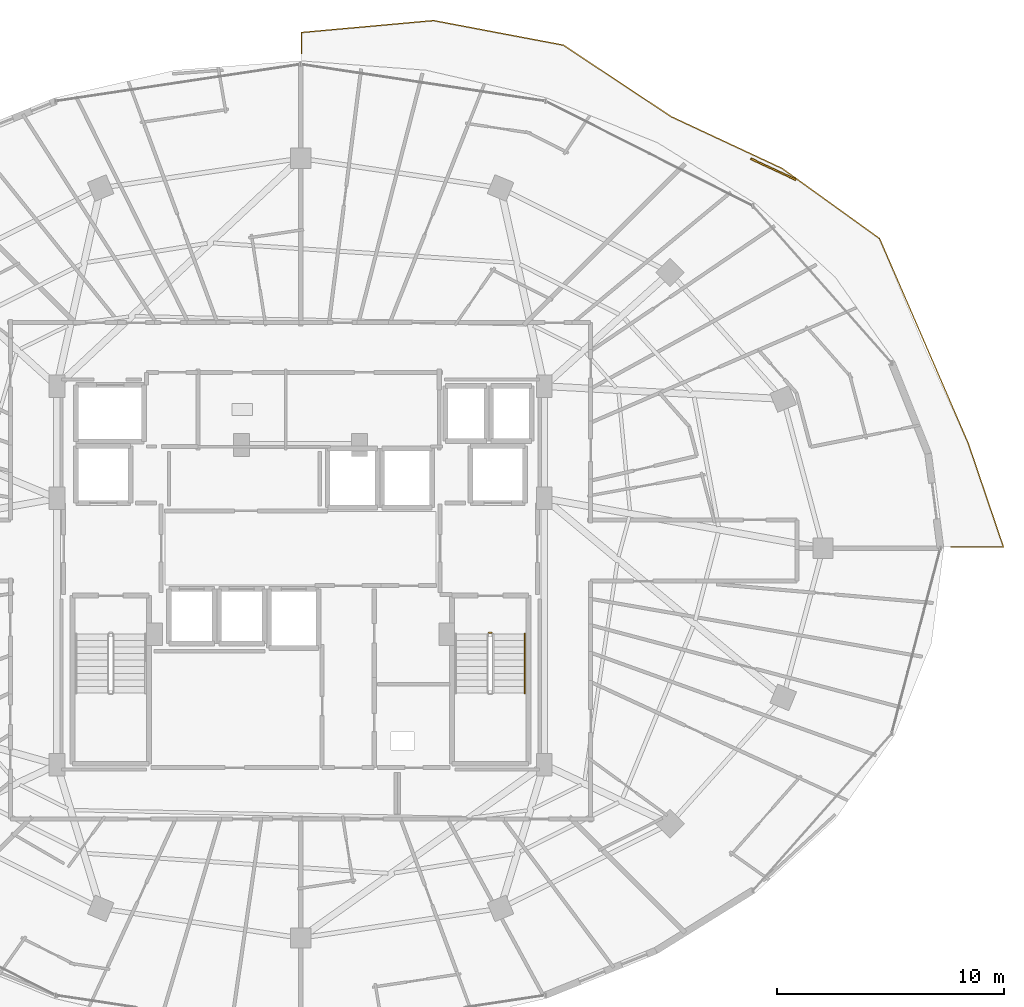
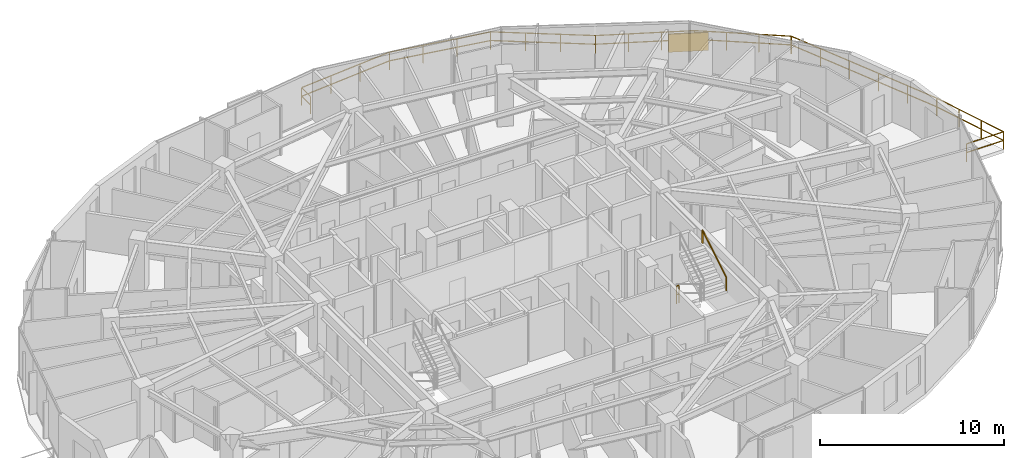
# One storey, part 32 of 33: 4 railings, 1 shading device.
"""IFC4 building model written with IfcOpenShell, lengths in metres."""

from ifc_helpers import new_model, si_unit, direction, frame, origin, origin_2d, place, context, subcontext, project, spatial, rectangle, extrude, material, type_object, element, save


model = new_model("IFC4")

# Units and contexts
model_context = context("Model", 3, precision=1e-05, world=origin(), true_north=direction((0.0, 1.0)))
body_context = subcontext(model_context, "Body", "Model", "MODEL_VIEW")
ifc_project = project(units=[si_unit("LENGTHUNIT", "METRE"), si_unit("AREAUNIT", "SQUARE_METRE"), si_unit("VOLUMEUNIT", "CUBIC_METRE"), si_unit("PLANEANGLEUNIT", "RADIAN"), si_unit("MASSUNIT", "GRAM", prefix="KILO")], contexts=[model_context])

# Site, building, storey
site_placement = place(None, origin())
site = spatial("IfcSite", under=ifc_project, at=site_placement, CompositionType="ELEMENT")
building_placement = place(site_placement, origin())
building = spatial("IfcBuilding", under=site, at=building_placement, Name="Vorneva Point Tower", CompositionType="ELEMENT")
storey_placement = place(building_placement, frame((0.0, 0.0, 179.10009765625)))
storey = spatial("IfcBuildingStorey", under=building, at=storey_placement, Name="L48", CompositionType="ELEMENT", Elevation=179.10009765625)

# Railings
ifc_material_1 = material(Name="Pale anodised aluminium", Category="aluminium")
railing_type_1 = type_object("IfcRailingType", Name="RL-BAL-1200", PredefinedType="BALUSTRADE", material=ifc_material_1)
railing_1_placement = place(storey_placement, frame((38.050048828125, 48.75439453125, 0.0)))
element("IfcRailing", 1, at=railing_1_placement, inside=storey, type_object=railing_type_1, Name="L48 Wave Balcony Balustrade NE.1", PredefinedType="BALUSTRADE", context=body_context, shape_type="SweptSolid", body=[
    extrude(rectangle(XDim=0.048095703125, YDim=0.048095703125, at=origin_2d()), frame((0.0, 0.0, 1.17578125), z_axis=(0.0, -1.0, 0.0), x_axis=(1.0, 0.0, 0.0)), (0.0, 0.0, 1.0), 0.937255859375),
    extrude(rectangle(XDim=0.048095703125, YDim=0.048095703125, at=origin_2d()), frame((0.0, 0.0, 0.60009765625), z_axis=(0.0, -1.0, 0.0), x_axis=(1.0, 0.0, 0.0)), (0.0, 0.0, 1.0), 0.937255859375),
    extrude(rectangle(XDim=0.0419921875, YDim=0.0419921875, at=origin_2d()), origin(), (0.0, 0.0, 1.0), 1.15185546875),
    extrude(rectangle(XDim=0.0419921875, YDim=0.0419921875, at=origin_2d()), frame((0.0, -0.937255859375, 0.0)), (0.0, 0.0, 1.0), 1.15185546875),
])
railing_2_placement = place(storey_placement, frame((66.6962890625, 26.050048828125, 0.0)))
element("IfcRailing", 2, at=railing_2_placement, inside=storey, type_object=railing_type_1, Name="L48 Wave Balcony Balustrade NE.2", PredefinedType="BALUSTRADE", context=body_context, shape_type="SweptSolid", body=[
    extrude(rectangle(XDim=0.048095703125, YDim=0.048095703125, at=origin_2d()), frame((0.0, 0.0, 1.17578125), z_axis=(1.0, 0.0, 0.0), x_axis=(0.0, 1.0, 0.0)), (0.0, 0.0, 1.0), 2.316650390625),
    extrude(rectangle(XDim=0.048095703125, YDim=0.048095703125, at=origin_2d()), frame((0.0, 0.0, 0.60009765625), z_axis=(1.0, 0.0, 0.0), x_axis=(0.0, 1.0, 0.0)), (0.0, 0.0, 1.0), 2.316650390625),
    extrude(rectangle(XDim=0.048095703125, YDim=0.048095703125, at=origin_2d()), frame((2.316650390625, 0.0, 1.17578125), z_axis=(-0.321336027119, 0.946965235727, 0.0), x_axis=(-0.946965235727, -0.321336027119, 0.0)), (0.0, 0.0, 1.0), 4.82763671875),
    extrude(rectangle(XDim=0.048095703125, YDim=0.048095703125, at=origin_2d()), frame((2.316650390625, 0.0, 0.60009765625), z_axis=(-0.321336027119, 0.946965235727, 0.0), x_axis=(-0.946965235727, -0.321336027119, 0.0)), (0.0, 0.0, 1.0), 4.82763671875),
    extrude(rectangle(XDim=0.048095703125, YDim=0.048095703125, at=origin_2d()), frame((0.765380859375, 4.571533203125, 1.17578125), z_axis=(-0.397549720287, 0.917580634004, 0.0), x_axis=(-0.917580634004, -0.397549720287, 0.0)), (0.0, 0.0, 1.0), 9.852783203125),
    extrude(rectangle(XDim=0.048095703125, YDim=0.048095703125, at=origin_2d()), frame((0.765380859375, 4.571533203125, 0.60009765625), z_axis=(-0.397549720287, 0.917580634004, 0.0), x_axis=(-0.917580634004, -0.397549720287, 0.0)), (0.0, 0.0, 1.0), 9.852783203125),
    extrude(rectangle(XDim=0.048095703125, YDim=0.048095703125, at=origin_2d()), frame((-3.151611328125, 13.6123046875, 1.17578125), z_axis=(-0.81161999727, 0.584185741037, 0.0), x_axis=(-0.584185741037, -0.81161999727, 0.0)), (0.0, 0.0, 1.0), 5.297607421875),
    extrude(rectangle(XDim=0.048095703125, YDim=0.048095703125, at=origin_2d()), frame((-3.151611328125, 13.6123046875, 0.60009765625), z_axis=(-0.81161999727, 0.584185741037, 0.0), x_axis=(-0.584185741037, -0.81161999727, 0.0)), (0.0, 0.0, 1.0), 5.297607421875),
    extrude(rectangle(XDim=0.048095703125, YDim=0.048095703125, at=origin_2d()), frame((-7.451171875, 16.70703125, 1.17578125), z_axis=(-0.906147303007, 0.422962250388, 0.0), x_axis=(-0.422962250388, -0.906147303007, 0.0)), (0.0, 0.0, 1.0), 5.395751953125),
    extrude(rectangle(XDim=0.048095703125, YDim=0.048095703125, at=origin_2d()), frame((-7.451171875, 16.70703125, 0.60009765625), z_axis=(-0.906147303007, 0.422962250388, 0.0), x_axis=(-0.422962250388, -0.906147303007, 0.0)), (0.0, 0.0, 1.0), 5.395751953125),
    extrude(rectangle(XDim=0.048095703125, YDim=0.048095703125, at=origin_2d()), frame((-12.340576171875, 18.9892578125, 1.17578125), z_axis=(-0.833539327293, 0.552460125127, 0.0), x_axis=(-0.552460125127, -0.833539327293, 0.0)), (0.0, 0.0, 1.0), 5.71435546875),
    extrude(rectangle(XDim=0.048095703125, YDim=0.048095703125, at=origin_2d()), frame((-12.340576171875, 18.9892578125, 0.60009765625), z_axis=(-0.833539327293, 0.552460125127, 0.0), x_axis=(-0.552460125127, -0.833539327293, 0.0)), (0.0, 0.0, 1.0), 5.71435546875),
    extrude(rectangle(XDim=0.048095703125, YDim=0.048095703125, at=origin_2d()), frame((-17.103759765625, 22.146240234375, 1.17578125), z_axis=(-0.98255245371, 0.185985686837, 0.0), x_axis=(-0.185985686837, -0.98255245371, 0.0)), (0.0, 0.0, 1.0), 5.826904296875),
    extrude(rectangle(XDim=0.048095703125, YDim=0.048095703125, at=origin_2d()), frame((-17.103759765625, 22.146240234375, 0.60009765625), z_axis=(-0.98255245371, 0.185985686837, 0.0), x_axis=(-0.185985686837, -0.98255245371, 0.0)), (0.0, 0.0, 1.0), 5.826904296875),
    extrude(rectangle(XDim=0.048095703125, YDim=0.048095703125, at=origin_2d()), frame((-22.8291015625, 23.22998046875, 1.17578125), z_axis=(-0.995942395005, -0.089993032125, 0.0), x_axis=(0.089993032125, -0.995942395005, 0.0)), (0.0, 0.0, 1.0), 5.8408203125),
    extrude(rectangle(XDim=0.048095703125, YDim=0.048095703125, at=origin_2d()), frame((-22.8291015625, 23.22998046875, 0.60009765625), z_axis=(-0.995942395005, -0.089993032125, 0.0), x_axis=(0.089993032125, -0.995942395005, 0.0)), (0.0, 0.0, 1.0), 5.8408203125),
    extrude(rectangle(XDim=0.0419921875, YDim=0.0419921875, at=origin_2d()), origin(), (0.0, 0.0, 1.0), 1.15185546875),
    extrude(rectangle(XDim=0.0419921875, YDim=0.0419921875, at=origin_2d()), frame((2.316650390625, 0.0, 0.0)), (0.0, 0.0, 1.0), 1.15185546875),
    extrude(rectangle(XDim=0.0419921875, YDim=0.0419921875, at=origin_2d()), frame((1.799560546875, 1.52392578125, 0.0)), (0.0, 0.0, 1.0), 1.15185546875),
    extrude(rectangle(XDim=0.0419921875, YDim=0.0419921875, at=origin_2d()), frame((1.282470703125, 3.047607421875, 0.0)), (0.0, 0.0, 1.0), 1.15185546875),
    extrude(rectangle(XDim=0.0419921875, YDim=0.0419921875, at=origin_2d()), frame((0.765380859375, 4.571533203125, 0.0)), (0.0, 0.0, 1.0), 1.15185546875),
    extrude(rectangle(XDim=0.0419921875, YDim=0.0419921875, at=origin_2d()), frame((-0.01806640625, 6.379638671875, 0.0)), (0.0, 0.0, 1.0), 1.15185546875),
    extrude(rectangle(XDim=0.0419921875, YDim=0.0419921875, at=origin_2d()), frame((-0.801513671875, 8.187744140625, 0.0)), (0.0, 0.0, 1.0), 1.15185546875),
    extrude(rectangle(XDim=0.0419921875, YDim=0.0419921875, at=origin_2d()), frame((-1.584716796875, 9.99609375, 0.0)), (0.0, 0.0, 1.0), 1.15185546875),
    extrude(rectangle(XDim=0.0419921875, YDim=0.0419921875, at=origin_2d()), frame((-2.3681640625, 11.80419921875, 0.0)), (0.0, 0.0, 1.0), 1.15185546875),
    extrude(rectangle(XDim=0.0419921875, YDim=0.0419921875, at=origin_2d()), frame((-3.151611328125, 13.6123046875, 0.0)), (0.0, 0.0, 1.0), 1.15185546875),
    extrude(rectangle(XDim=0.0419921875, YDim=0.0419921875, at=origin_2d()), frame((-4.584716796875, 14.643798828125, 0.0)), (0.0, 0.0, 1.0), 1.15185546875),
    extrude(rectangle(XDim=0.0419921875, YDim=0.0419921875, at=origin_2d()), frame((-6.01806640625, 15.675537109375, 0.0)), (0.0, 0.0, 1.0), 1.15185546875),
    extrude(rectangle(XDim=0.0419921875, YDim=0.0419921875, at=origin_2d()), frame((-7.451171875, 16.70703125, 0.0)), (0.0, 0.0, 1.0), 1.15185546875),
    extrude(rectangle(XDim=0.0419921875, YDim=0.0419921875, at=origin_2d()), frame((-9.0810546875, 17.4677734375, 0.0)), (0.0, 0.0, 1.0), 1.15185546875),
    extrude(rectangle(XDim=0.0419921875, YDim=0.0419921875, at=origin_2d()), frame((-10.710693359375, 18.228515625, 0.0)), (0.0, 0.0, 1.0), 1.15185546875),
    extrude(rectangle(XDim=0.0419921875, YDim=0.0419921875, at=origin_2d()), frame((-12.340576171875, 18.9892578125, 0.0)), (0.0, 0.0, 1.0), 1.15185546875),
    extrude(rectangle(XDim=0.0419921875, YDim=0.0419921875, at=origin_2d()), frame((-13.92822265625, 20.04150390625, 0.0)), (0.0, 0.0, 1.0), 1.15185546875),
    extrude(rectangle(XDim=0.0419921875, YDim=0.0419921875, at=origin_2d()), frame((-15.51611328125, 21.093994140625, 0.0)), (0.0, 0.0, 1.0), 1.15185546875),
    extrude(rectangle(XDim=0.0419921875, YDim=0.0419921875, at=origin_2d()), frame((-17.103759765625, 22.146240234375, 0.0)), (0.0, 0.0, 1.0), 1.15185546875),
    extrude(rectangle(XDim=0.0419921875, YDim=0.0419921875, at=origin_2d()), frame((-19.01220703125, 22.507568359375, 0.0)), (0.0, 0.0, 1.0), 1.15185546875),
    extrude(rectangle(XDim=0.0419921875, YDim=0.0419921875, at=origin_2d()), frame((-20.920654296875, 22.86865234375, 0.0)), (0.0, 0.0, 1.0), 1.15185546875),
    extrude(rectangle(XDim=0.0419921875, YDim=0.0419921875, at=origin_2d()), frame((-22.8291015625, 23.22998046875, 0.0)), (0.0, 0.0, 1.0), 1.15185546875),
    extrude(rectangle(XDim=0.0419921875, YDim=0.0419921875, at=origin_2d()), frame((-24.76806640625, 23.0546875, 0.0)), (0.0, 0.0, 1.0), 1.15185546875),
    extrude(rectangle(XDim=0.0419921875, YDim=0.0419921875, at=origin_2d()), frame((-26.707275390625, 22.879638671875, 0.0)), (0.0, 0.0, 1.0), 1.15185546875),
    extrude(rectangle(XDim=0.0419921875, YDim=0.0419921875, at=origin_2d()), frame((-28.646240234375, 22.704345703125, 0.0)), (0.0, 0.0, 1.0), 1.15185546875),
])
ifc_material_2 = material(Name="Brushed stainless steel S304", Category="steel")
railing_type_2 = type_object("IfcRailingType", Name="RL-HND-920", PredefinedType="HANDRAIL", material=ifc_material_2)
railing_3_placement = place(storey_placement, frame((47.89990234375, 19.610107421875, 1.9248046875)))
element("IfcRailing", 3, at=railing_3_placement, inside=storey, type_object=railing_type_2, Name="L48 ST2 stair handrail 2", PredefinedType="HANDRAIL", context=body_context, shape_type="SweptSolid", body=[
    extrude(rectangle(XDim=0.048095703125, YDim=0.048095703125, at=origin_2d()), frame((0.0, 0.0, 0.8759765625), z_axis=(0.0, 0.856147343639, 0.516731773728), x_axis=(-1.0, 0.0, 0.0)), (0.0, 0.0, 1.0), 3.04833984375),
    extrude(rectangle(XDim=0.0419921875, YDim=0.0419921875, at=origin_2d()), origin(), (0.0, 0.0, 1.0), 0.851806640625),
    extrude(rectangle(XDim=0.0419921875, YDim=0.0419921875, at=origin_2d()), frame((0.0, 2.60986328125, 1.5751953125)), (0.0, 0.0, 1.0), 0.851806640625),
])
railing_type_3 = type_object("IfcRailingType", Name="RL-STG-1100", PredefinedType="GUARDRAIL", material=ifc_material_2)
railing_4_placement = place(storey_placement, frame((46.300048828125, 22.27001953125, 0.0)))
element("IfcRailing", 4, at=railing_4_placement, inside=storey, type_object=railing_type_3, Name="L48 ST2 stair guard 4", PredefinedType="GUARDRAIL", context=body_context, shape_type="SweptSolid", body=[
    extrude(rectangle(XDim=0.048095703125, YDim=0.048095703125, at=origin_2d()), frame((0.0, 0.0, 1.17578125), z_axis=(1.0, 0.0, 0.0), x_axis=(0.0, 1.0, 0.0)), (0.0, 0.0, 1.0), 0.14990234375),
    extrude(rectangle(XDim=0.048095703125, YDim=0.048095703125, at=origin_2d()), frame((0.0, 0.0, 0.60009765625), z_axis=(1.0, 0.0, 0.0), x_axis=(0.0, 1.0, 0.0)), (0.0, 0.0, 1.0), 0.14990234375),
    extrude(rectangle(XDim=0.0419921875, YDim=0.0419921875, at=origin_2d()), origin(), (0.0, 0.0, 1.0), 1.15185546875),
    extrude(rectangle(XDim=0.0419921875, YDim=0.0419921875, at=origin_2d()), frame((0.14990234375, 0.0, 0.0)), (0.0, 0.0, 1.0), 1.15185546875),
])

# Shading device
shading_device_type = type_object("IfcShadingDeviceType", Name="SHD-JAL-1200", PredefinedType="JALOUSIE", material=ifc_material_1)
shading_device_placement = place(storey_placement, frame((58.855224609375, 42.721435546875, -0.02001953125), z_axis=(0.0, 0.0, 1.0), x_axis=(-0.906145446467, 0.422966227786, 0.0)))
element("IfcShadingDevice", 5, at=shading_device_placement, inside=storey, type_object=shading_device_type, Name="L48 Balcony Vertical-Greenery Planter Screen NE.2", PredefinedType="JALOUSIE", context=body_context, shape_type="SweptSolid", body=[
    extrude(rectangle(XDim=2.199951171875, YDim=0.080078125, at=origin_2d()), origin(), (0.0, 0.0, 1.0), 1.199951171875),
])

save(model, "model.ifc")
